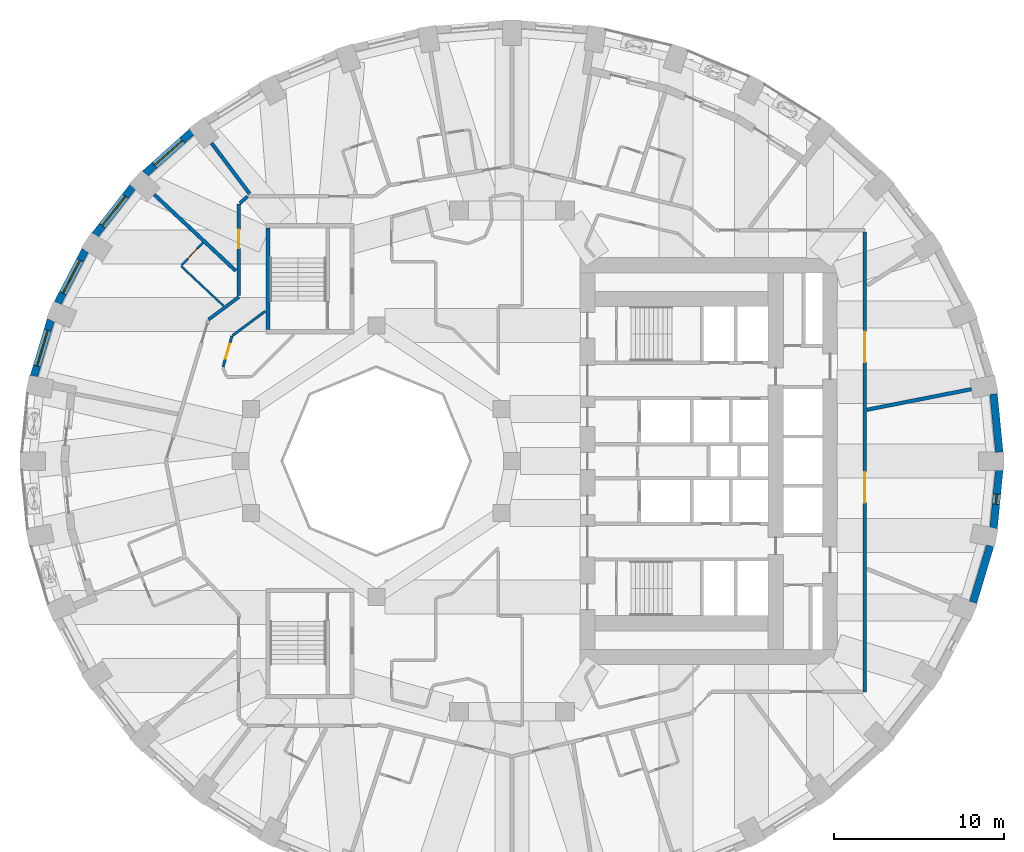
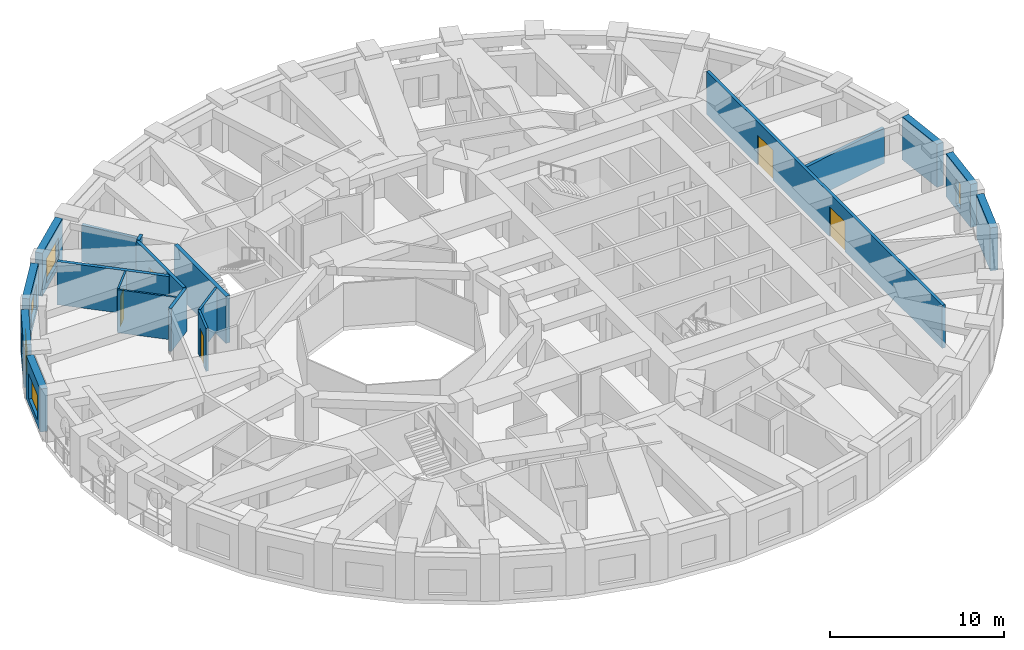
# One storey, part 7 of 14: 19 walls, 5 doors, 5 windows, 10 openings.
"""IFC4 building model written with IfcOpenShell, lengths in metres."""

from ifc_helpers import new_model, si_unit, direction, frame, frame_2d, origin, place, context, subcontext, project, spatial, rectangle, extrude, material, layer, layer_set, type_object, element, fill, save


model = new_model("IFC4")

# Units and contexts
model_context = context("Model", 3, precision=1e-05, world=origin(), true_north=direction((0.0, 1.0)))
body_context = subcontext(model_context, "Body", "Model", "MODEL_VIEW")
ifc_project = project(units=[si_unit("LENGTHUNIT", "METRE"), si_unit("AREAUNIT", "SQUARE_METRE"), si_unit("VOLUMEUNIT", "CUBIC_METRE"), si_unit("PLANEANGLEUNIT", "RADIAN"), si_unit("MASSUNIT", "GRAM", prefix="KILO")], contexts=[model_context])

# Site, building, storey
site_placement = place(None, origin())
site = spatial("IfcSite", under=ifc_project, at=site_placement, CompositionType="ELEMENT")
building_placement = place(site_placement, origin())
building = spatial("IfcBuilding", under=site, at=building_placement, Name="Taillehof Tower", CompositionType="ELEMENT")
storey_placement = place(building_placement, frame((0.0, 0.0, 21.699951171875)))
storey = spatial("IfcBuildingStorey", under=building, at=storey_placement, Name="L04", CompositionType="ELEMENT", Elevation=21.699951171875)

# Wall
ifc_material_1 = material(Name="Brick masonry", Category="masonry")
ifc_layer_1 = layer(ifc_material_1, 0.449951171875)
ifc_layer_set_1 = layer_set([ifc_layer_1], Name="Brick infill wall 450")
wall_type_1 = type_object("IfcWallType", Name="Brick infill wall 450", PredefinedType="SOLIDWALL", material=ifc_layer_set_1)
wall_1_placement = place(storey_placement, frame((28.721923828125, 0.530029296875, 0.0), z_axis=(0.0, 0.0, 1.0), x_axis=(-0.097389581596, 0.995246336038, 0.0)))
element("IfcWall", 1, at=wall_1_placement, inside=storey, type_object=wall_type_1, Name="Brick wall L04 bay 1", PredefinedType="SOLIDWALL", context=body_context, shape_type="SweptSolid", body=[
    extrude(rectangle(XDim=3.44189453125, YDim=0.449951171875, at=frame_2d((1.720947265625, 0.0))), origin(), (0.0, 0.0, 1.0), 3.02001953125),
])

# Wall, opening, window
wall_2_placement = place(storey_placement, frame((-18.87060546875, 19.406982421875, 0.0), z_axis=(0.0, 0.0, 1.0), x_axis=(-0.745526233716, -0.66647628228, 0.0)))
wall_2 = element("IfcWall", 2, at=wall_2_placement, inside=storey, type_object=wall_type_1, Name="Brick wall L04 bay 14", PredefinedType="SOLIDWALL", context=body_context, shape_type="SweptSolid", body=[
    extrude(rectangle(XDim=3.69677734375, YDim=0.449951171875, at=frame_2d((1.848388671875, 0.0))), origin(), (0.0, 0.0, 1.0), 3.02001953125),
])
opening_1_placement = place(wall_2_placement, frame((0.74853515625, 0.0, 0.39990234375)))
opening_1 = element("IfcOpeningElement", 3, at=opening_1_placement, cuts=wall_2, Name="Opening W1", PredefinedType="OPENING", context=body_context, shape_type="SweptSolid", body=[
    extrude(rectangle(XDim=2.199951171875, YDim=1.75, at=frame_2d((1.10009765625, 0.875))), frame((0.0, 0.23486328125, 0.0), z_axis=(0.0, -1.0, 0.0), x_axis=(1.0, 0.0, 0.0)), (0.0, 0.0, 1.0), 0.469970703125),
])
ifc_material_2 = material(Name="Aluminium window frame with clear double glazing", Category="aluminium")
window_type_1 = type_object("IfcWindowType", Name="Deep-set window 2200x1750", PartitioningType="SINGLE_PANEL", PredefinedType="WINDOW", material=ifc_material_2)
window_1_placement = place(opening_1_placement, origin())
window_1 = element("IfcWindow", 4, at=window_1_placement, inside=storey, type_object=window_type_1, Name="W1", OverallHeight=1.75, OverallWidth=2.199951171875, PartitioningType="SINGLE_PANEL", PredefinedType="WINDOW", context=body_context, shape_type="SweptSolid", body=[
    extrude(rectangle(XDim=2.199951171875, YDim=1.75, at=frame_2d((1.10009765625, 0.875))), frame((0.0, 0.034912109375, 0.0), z_axis=(0.0, -1.0, 0.0), x_axis=(1.0, 0.0, 0.0)), (0.0, 0.0, 1.0), 0.06005859375),
])
fill(opening_1, window_1)

wall_3_placement = place(storey_placement, frame((-22.3515625, 16.169677734375, 0.0), z_axis=(0.0, 0.0, 1.0), x_axis=(-0.616661975264, -0.787228053529, 0.0)))
wall_3 = element("IfcWall", 5, at=wall_3_placement, inside=storey, type_object=wall_type_1, Name="Brick wall L04 bay 15", PredefinedType="SOLIDWALL", context=body_context, shape_type="SweptSolid", body=[
    extrude(rectangle(XDim=3.60986328125, YDim=0.449951171875, at=frame_2d((1.804931640625, 0.0))), origin(), (0.0, 0.0, 1.0), 3.02001953125),
])
opening_2_placement = place(wall_3_placement, frame((0.704833984375, 0.0, 0.39990234375)))
opening_2 = element("IfcOpeningElement", 6, at=opening_2_placement, cuts=wall_3, Name="Opening W1", PredefinedType="OPENING", context=body_context, shape_type="SweptSolid", body=[
    extrude(rectangle(XDim=2.199951171875, YDim=1.75, at=frame_2d((1.10009765625, 0.875))), frame((0.0, 0.23486328125, 0.0), z_axis=(0.0, -1.0, 0.0), x_axis=(1.0, 0.0, 0.0)), (0.0, 0.0, 1.0), 0.469970703125),
])
window_2_placement = place(opening_2_placement, origin())
window_2 = element("IfcWindow", 7, at=window_2_placement, inside=storey, type_object=window_type_1, Name="W1", OverallHeight=1.75, OverallWidth=2.199951171875, PartitioningType="SINGLE_PANEL", PredefinedType="WINDOW", context=body_context, shape_type="SweptSolid", body=[
    extrude(rectangle(XDim=2.199951171875, YDim=1.75, at=frame_2d((1.10009765625, 0.875))), frame((0.0, 0.034912109375, 0.0), z_axis=(0.0, -1.0, 0.0), x_axis=(1.0, 0.0, 0.0)), (0.0, 0.0, 1.0), 0.06005859375),
])
fill(opening_2, window_2)

wall_4_placement = place(storey_placement, frame((-25.152099609375, 12.436767578125, 0.0), z_axis=(0.0, 0.0, 1.0), x_axis=(-0.462492775226, -0.886623050041, 0.0)))
wall_4 = element("IfcWall", 8, at=wall_4_placement, inside=storey, type_object=wall_type_1, Name="Brick wall L04 bay 16", PredefinedType="SOLIDWALL", context=body_context, shape_type="SweptSolid", body=[
    extrude(rectangle(XDim=3.531982421875, YDim=0.449951171875, at=frame_2d((1.76611328125, 0.0))), origin(), (0.0, 0.0, 1.0), 3.02001953125),
])
opening_3_placement = place(wall_4_placement, frame((0.666015625, 0.0, 0.39990234375)))
opening_3 = element("IfcOpeningElement", 9, at=opening_3_placement, cuts=wall_4, Name="Opening W1", PredefinedType="OPENING", context=body_context, shape_type="SweptSolid", body=[
    extrude(rectangle(XDim=2.199951171875, YDim=1.75, at=frame_2d((1.10009765625, 0.875))), frame((0.0, 0.23486328125, 0.0), z_axis=(0.0, -1.0, 0.0), x_axis=(1.0, 0.0, 0.0)), (0.0, 0.0, 1.0), 0.469970703125),
])
window_3_placement = place(opening_3_placement, origin())
window_3 = element("IfcWindow", 10, at=window_3_placement, inside=storey, type_object=window_type_1, Name="W1", OverallHeight=1.75, OverallWidth=2.199951171875, PartitioningType="SINGLE_PANEL", PredefinedType="WINDOW", context=body_context, shape_type="SweptSolid", body=[
    extrude(rectangle(XDim=2.199951171875, YDim=1.75, at=frame_2d((1.10009765625, 0.875))), frame((0.0, 0.034912109375, 0.0), z_axis=(0.0, -1.0, 0.0), x_axis=(1.0, 0.0, 0.0)), (0.0, 0.0, 1.0), 0.06005859375),
])
fill(opening_3, window_3)

wall_5_placement = place(storey_placement, frame((-27.184814453125, 8.322998046875, 0.0), z_axis=(0.0, 0.0, 1.0), x_axis=(-0.287064133733, -0.957911364963, 0.0)))
wall_5 = element("IfcWall", 11, at=wall_5_placement, inside=storey, type_object=wall_type_1, Name="Brick wall L04 bay 17", PredefinedType="SOLIDWALL", context=body_context, shape_type="SweptSolid", body=[
    extrude(rectangle(XDim=3.473388671875, YDim=0.449951171875, at=frame_2d((1.73681640625, 0.0))), origin(), (0.0, 0.0, 1.0), 3.02001953125),
])
opening_4_placement = place(wall_5_placement, frame((0.63671875, 0.0, 0.39990234375)))
opening_4 = element("IfcOpeningElement", 12, at=opening_4_placement, cuts=wall_5, Name="Opening W1", PredefinedType="OPENING", context=body_context, shape_type="SweptSolid", body=[
    extrude(rectangle(XDim=2.199951171875, YDim=1.75, at=frame_2d((1.10009765625, 0.875))), frame((0.0, 0.23486328125, 0.0), z_axis=(0.0, -1.0, 0.0), x_axis=(1.0, 0.0, 0.0)), (0.0, 0.0, 1.0), 0.469970703125),
])
window_4_placement = place(opening_4_placement, origin())
window_4 = element("IfcWindow", 13, at=window_4_placement, inside=storey, type_object=window_type_1, Name="W1", OverallHeight=1.75, OverallWidth=2.199951171875, PartitioningType="SINGLE_PANEL", PredefinedType="WINDOW", context=body_context, shape_type="SweptSolid", body=[
    extrude(rectangle(XDim=2.199951171875, YDim=1.75, at=frame_2d((1.10009765625, 0.875))), frame((0.0, 0.034912109375, 0.0), z_axis=(0.0, -1.0, 0.0), x_axis=(1.0, 0.0, 0.0)), (0.0, 0.0, 1.0), 0.06005859375),
])
fill(opening_4, window_4)

# Wall
wall_6_placement = place(storey_placement, frame((27.184814453125, -8.322998046875, 0.0), z_axis=(0.0, 0.0, 1.0), x_axis=(0.287064133733, 0.957911364963, 0.0)))
element("IfcWall", 14, at=wall_6_placement, inside=storey, type_object=wall_type_1, Name="Brick wall L04 bay 35", PredefinedType="SOLIDWALL", context=body_context, shape_type="SweptSolid", body=[
    extrude(rectangle(XDim=3.473388671875, YDim=0.449951171875, at=frame_2d((1.73681640625, 0.0))), origin(), (0.0, 0.0, 1.0), 3.02001953125),
])

# Wall, opening, window
wall_7_placement = place(storey_placement, frame((28.38671875, -3.95556640625, 0.0), z_axis=(0.0, 0.0, 1.0), x_axis=(0.097389581596, 0.995246336038, 0.0)))
wall_7 = element("IfcWall", 15, at=wall_7_placement, inside=storey, type_object=wall_type_1, Name="Brick wall L04 bay 36", PredefinedType="SOLIDWALL", context=body_context, shape_type="SweptSolid", body=[
    extrude(rectangle(XDim=3.44189453125, YDim=0.449951171875, at=frame_2d((1.720947265625, 0.0))), origin(), (0.0, 0.0, 1.0), 3.02001953125),
])
opening_5_placement = place(wall_7_placement, frame((1.4208984375, 0.0, 0.39990234375)))
opening_5 = element("IfcOpeningElement", 16, at=opening_5_placement, cuts=wall_7, Name="Opening W6", PredefinedType="OPENING", context=body_context, shape_type="SweptSolid", body=[
    extrude(rectangle(XDim=0.60009765625, YDim=1.75, at=frame_2d((0.300048828125, 0.875))), frame((0.0, 0.23486328125, 0.0), z_axis=(0.0, -1.0, 0.0), x_axis=(1.0, 0.0, 0.0)), (0.0, 0.0, 1.0), 0.469970703125),
])
ifc_material_3 = material(Name="Aluminium window frame with clear double glazing", Category="aluminium")
window_type_2 = type_object("IfcWindowType", Name="Slot window 600x1750", PartitioningType="SINGLE_PANEL", PredefinedType="WINDOW", material=ifc_material_3)
window_5_placement = place(opening_5_placement, origin())
window_5 = element("IfcWindow", 17, at=window_5_placement, inside=storey, type_object=window_type_2, Name="W6", OverallHeight=1.75, OverallWidth=0.60009765625, PartitioningType="SINGLE_PANEL", PredefinedType="WINDOW", context=body_context, shape_type="SweptSolid", body=[
    extrude(rectangle(XDim=0.60009765625, YDim=1.75, at=frame_2d((0.300048828125, 0.875))), frame((0.0, 0.034912109375, 0.0), z_axis=(0.0, -1.0, 0.0), x_axis=(1.0, 0.0, 0.0)), (0.0, 0.0, 1.0), 0.06005859375),
])
fill(opening_5, window_5)

# Wall
ifc_material_4 = material(Name="Gypsum board on steel studs, two layers each side", Category="steel")
ifc_layer_2 = layer(ifc_material_4, 0.199951171875)
ifc_layer_set_2 = layer_set([ifc_layer_2], Name="Compartment wall corridor 200")
wall_type_2 = type_object("IfcWallType", Name="Compartment wall corridor 200", PredefinedType="PARTITIONING", material=ifc_layer_set_2)
wall_8_placement = place(storey_placement, frame((-17.88427734375, 8.34375, 0.0), z_axis=(0.0, 0.0, 1.0), x_axis=(0.802260120548, 0.596974621721, 0.0)))
element("IfcWall", 18, at=wall_8_placement, inside=storey, type_object=wall_type_2, Name="Compartment wall", PredefinedType="PARTITIONING", context=body_context, shape_type="SweptSolid", body=[
    extrude(rectangle(XDim=2.223876953125, YDim=0.199951171875, at=frame_2d((1.11181640625, 0.0))), origin(), (0.0, 0.0, 1.0), 3.02001953125),
])

# Wall, opening, door
wall_9_placement = place(storey_placement, frame((-16.10009765625, 9.75146484375, 0.0), z_axis=(0.0, 0.0, 1.0), x_axis=(0.0, 1.0, 0.0)))
wall_9 = element("IfcWall", 19, at=wall_9_placement, inside=storey, type_object=wall_type_2, Name="Compartment wall", PredefinedType="PARTITIONING", context=body_context, shape_type="SweptSolid", body=[
    extrude(rectangle(XDim=5.392578125, YDim=0.199951171875, at=frame_2d((2.6962890625, 0.0))), origin(), (0.0, 0.0, 1.0), 3.02001953125),
])
opening_6_placement = place(wall_9_placement, frame((2.7861328125, 0.0, 0.0)))
opening_6 = element("IfcOpeningElement", 20, at=opening_6_placement, cuts=wall_9, Name="Opening D0451", PredefinedType="OPENING", context=body_context, shape_type="SweptSolid", body=[
    extrude(rectangle(XDim=1.10009765625, YDim=2.10009765625, at=frame_2d((0.550048828125, 1.050048828125))), frame((0.0, 0.10986328125, 0.0), z_axis=(0.0, -1.0, 0.0), x_axis=(1.0, 0.0, 0.0)), (0.0, 0.0, 1.0), 0.219970703125),
])
ifc_material_5 = material(Name="Timber door leaf in steel frame", Category="steel")
door_type_1 = type_object("IfcDoorType", Name="Suite entrance door EI 30 1100 x 2100", OperationType="SINGLE_SWING_LEFT", PredefinedType="DOOR", material=ifc_material_5)
door_1_placement = place(opening_6_placement, origin())
door_1 = element("IfcDoor", 21, at=door_1_placement, inside=storey, type_object=door_type_1, Name="D0451", OperationType="SINGLE_SWING_LEFT", OverallHeight=2.10009765625, OverallWidth=1.10009765625, PredefinedType="DOOR", context=body_context, shape_type="SweptSolid", body=[
    extrude(rectangle(XDim=1.10009765625, YDim=2.10009765625, at=frame_2d((0.550048828125, 1.050048828125))), frame((0.0, 0.02490234375, 0.0), z_axis=(0.0, -1.0, 0.0), x_axis=(1.0, 0.0, 0.0)), (0.0, 0.0, 1.0), 0.050048828125),
])
fill(opening_6, door_1)

# Wall
wall_10_placement = place(storey_placement, frame((-16.04052734375, 15.19775390625, 0.0), z_axis=(0.0, 0.0, 1.0), x_axis=(0.744722115519, 0.667374685359, 0.0)))
element("IfcWall", 22, at=wall_10_placement, inside=storey, type_object=wall_type_2, Name="Compartment wall", PredefinedType="PARTITIONING", context=body_context, shape_type="SweptSolid", body=[
    extrude(rectangle(XDim=0.602783203125, YDim=0.199951171875, at=frame_2d((0.30126953125, 0.0))), origin(), (0.0, 0.0, 1.0), 3.02001953125),
])

# Wall, openings, doors
wall_11_placement = place(storey_placement, frame((20.800048828125, 13.5, 0.0), z_axis=(0.0, 0.0, 1.0), x_axis=(0.0, -1.0, 0.0)))
wall_11 = element("IfcWall", 23, at=wall_11_placement, inside=storey, type_object=wall_type_2, Name="Compartment wall", PredefinedType="PARTITIONING", context=body_context, shape_type="SweptSolid", body=[
    extrude(rectangle(XDim=27.10009765625, YDim=0.199951171875, at=frame_2d((13.550048828125, 0.0))), origin(), (0.0, 0.0, 1.0), 3.02001953125),
])
opening_7_placement = place(wall_11_placement, frame((14.148681640625, 0.0, 0.0)))
opening_7 = element("IfcOpeningElement", 24, at=opening_7_placement, cuts=wall_11, Name="Opening D0470", PredefinedType="OPENING", context=body_context, shape_type="SweptSolid", body=[
    extrude(rectangle(XDim=1.800048828125, YDim=2.10009765625, at=frame_2d((0.89990234375, 1.050048828125))), frame((0.0, 0.10986328125, 0.0), z_axis=(0.0, -1.0, 0.0), x_axis=(1.0, 0.0, 0.0)), (0.0, 0.0, 1.0), 0.219970703125),
])
opening_8_placement = place(wall_11_placement, frame((5.864013671875, 0.0, 0.0)))
opening_8 = element("IfcOpeningElement", 25, at=opening_8_placement, cuts=wall_11, Name="Opening D0471", PredefinedType="OPENING", context=body_context, shape_type="SweptSolid", body=[
    extrude(rectangle(XDim=1.800048828125, YDim=2.10009765625, at=frame_2d((0.89990234375, 1.050048828125))), frame((0.0, 0.10986328125, 0.0), z_axis=(0.0, -1.0, 0.0), x_axis=(1.0, 0.0, 0.0)), (0.0, 0.0, 1.0), 0.219970703125),
])
ifc_material_6 = material(Name="Timber door leaf in steel frame", Category="steel")
door_type_2 = type_object("IfcDoorType", Name="Lounge and meeting room double door EI 30 1800 x 2100", OperationType="SINGLE_SWING_LEFT", PredefinedType="DOOR", material=ifc_material_6)
door_2_placement = place(opening_7_placement, origin())
door_2 = element("IfcDoor", 26, at=door_2_placement, inside=storey, type_object=door_type_2, Name="D0470", OperationType="DOUBLE_DOOR_SINGLE_SWING", OverallHeight=2.10009765625, OverallWidth=1.800048828125, PredefinedType="DOOR", context=body_context, shape_type="SweptSolid", body=[
    extrude(rectangle(XDim=1.800048828125, YDim=2.10009765625, at=frame_2d((0.89990234375, 1.050048828125))), frame((0.0, 0.02490234375, 0.0), z_axis=(0.0, -1.0, 0.0), x_axis=(1.0, 0.0, 0.0)), (0.0, 0.0, 1.0), 0.050048828125),
])
fill(opening_7, door_2)
door_3_placement = place(opening_8_placement, origin())
door_3 = element("IfcDoor", 27, at=door_3_placement, inside=storey, type_object=door_type_2, Name="D0471", OperationType="DOUBLE_DOOR_SINGLE_SWING", OverallHeight=2.10009765625, OverallWidth=1.800048828125, PredefinedType="DOOR", context=body_context, shape_type="SweptSolid", body=[
    extrude(rectangle(XDim=1.800048828125, YDim=2.10009765625, at=frame_2d((0.89990234375, 1.050048828125))), frame((0.0, 0.02490234375, 0.0), z_axis=(0.0, -1.0, 0.0), x_axis=(1.0, 0.0, 0.0)), (0.0, 0.0, 1.0), 0.050048828125),
])
fill(opening_8, door_3)

# Walls
ifc_material_7 = material(Name="Gypsum board on double steel studs with mineral wool", Category="steel")
ifc_layer_3 = layer(ifc_material_7, 0.219970703125)
ifc_layer_set_3 = layer_set([ifc_layer_3], Name="Compartment wall guest room 220")
wall_type_3 = type_object("IfcWallType", Name="Compartment wall guest room 220", PredefinedType="PARTITIONING", material=ifc_layer_set_3)
wall_12_placement = place(storey_placement, frame((27.0849609375, 4.239990234375, 0.0), z_axis=(0.0, 0.0, 1.0), x_axis=(-0.981207724218, -0.192954403772, 0.0)))
element("IfcWall", 28, at=wall_12_placement, inside=storey, type_object=wall_type_3, Name="Compartment wall", PredefinedType="PARTITIONING", context=body_context, shape_type="SweptSolid", body=[
    extrude(rectangle(XDim=6.283447265625, YDim=0.219970703125, at=frame_2d((3.1416015625, 0.0))), origin(), (0.0, 0.0, 1.0), 2.469970703125),
])
wall_13_placement = place(storey_placement, frame((-17.707763671875, 18.7431640625, 0.0), z_axis=(0.0, 0.0, 1.0), x_axis=(0.601172757903, -0.799119086967, 0.0)))
element("IfcWall", 29, at=wall_13_placement, inside=storey, type_object=wall_type_3, Name="Compartment wall", PredefinedType="PARTITIONING", context=body_context, shape_type="SweptSolid", body=[
    extrude(rectangle(XDim=3.728515625, YDim=0.219970703125, at=frame_2d((1.8642578125, 0.0))), origin(), (0.0, 0.0, 1.0), 2.570068359375),
])
wall_14_placement = place(storey_placement, frame((-21.09326171875, 15.7177734375, 0.0), z_axis=(0.0, 0.0, 1.0), x_axis=(0.73009284205, -0.683347965525, 0.0)))
element("IfcWall", 30, at=wall_14_placement, inside=storey, type_object=wall_type_3, Name="Compartment wall", PredefinedType="PARTITIONING", context=body_context, shape_type="SweptSolid", body=[
    extrude(rectangle(XDim=6.6015625, YDim=0.219970703125, at=frame_2d((3.30078125, 0.0))), origin(), (0.0, 0.0, 1.0), 3.02001953125),
])

# Wall, opening, door
ifc_material_8 = material(Name="Gypsum board on steel studs, two layers each side", Category="steel")
ifc_layer_4 = layer(ifc_material_8, 0.14990234375)
ifc_layer_set_4 = layer_set([ifc_layer_4], Name="Compartment wall service room 150")
wall_type_4 = type_object("IfcWallType", Name="Compartment wall service room 150", PredefinedType="PARTITIONING", material=ifc_layer_set_4)
wall_15_placement = place(storey_placement, frame((-17.031982421875, 5.552001953125, 0.0), z_axis=(0.0, 0.0, 1.0), x_axis=(0.277658349549, 0.96067988473, 0.0)))
wall_15 = element("IfcWall", 31, at=wall_15_placement, inside=storey, type_object=wall_type_4, Name="Compartment wall", PredefinedType="PARTITIONING", context=body_context, shape_type="SweptSolid", body=[
    extrude(rectangle(XDim=1.8984375, YDim=0.14990234375, at=frame_2d((0.94921875, 0.0))), origin(), (0.0, 0.0, 1.0), 3.02001953125),
])
opening_9_placement = place(wall_15_placement, frame((0.499267578125, 0.0, 0.0)))
opening_9 = element("IfcOpeningElement", 32, at=opening_9_placement, cuts=wall_15, Name="Opening D0475", PredefinedType="OPENING", context=body_context, shape_type="SweptSolid", body=[
    extrude(rectangle(XDim=0.89990234375, YDim=2.10009765625, at=frame_2d((0.449951171875, 1.050048828125))), frame((0.0, 0.0849609375, 0.0), z_axis=(0.0, -1.0, 0.0), x_axis=(1.0, 0.0, 0.0)), (0.0, 0.0, 1.0), 0.169921875),
])
ifc_material_9 = material(Name="Timber door leaf in steel frame", Category="steel")
door_type_3 = type_object("IfcDoorType", Name="Service room door EI 30 900 x 2100", OperationType="SINGLE_SWING_LEFT", PredefinedType="DOOR", material=ifc_material_9)
door_4_placement = place(opening_9_placement, origin())
door_4 = element("IfcDoor", 33, at=door_4_placement, inside=storey, type_object=door_type_3, Name="D0475", OperationType="SINGLE_SWING_LEFT", OverallHeight=2.10009765625, OverallWidth=0.89990234375, PredefinedType="DOOR", context=body_context, shape_type="SweptSolid", body=[
    extrude(rectangle(XDim=0.89990234375, YDim=2.10009765625, at=frame_2d((0.449951171875, 1.050048828125))), frame((0.0, 0.02490234375, 0.0), z_axis=(0.0, -1.0, 0.0), x_axis=(1.0, 0.0, 0.0)), (0.0, 0.0, 1.0), 0.050048828125),
])
fill(opening_9, door_4)

# Walls
wall_16_placement = place(storey_placement, frame((-16.47265625, 7.399658203125, 0.0), z_axis=(0.0, 0.0, 1.0), x_axis=(0.802267063429, 0.596965291233, 0.0)))
element("IfcWall", 34, at=wall_16_placement, inside=storey, type_object=wall_type_4, Name="Compartment wall", PredefinedType="PARTITIONING", context=body_context, shape_type="SweptSolid", body=[
    extrude(rectangle(XDim=2.410400390625, YDim=0.14990234375, at=frame_2d((1.205078125, 0.0))), origin(), (0.0, 0.0, 1.0), 3.02001953125),
])
ifc_material_10 = material(Name="Gypsum board on steel studs, moisture resistant", Category="steel")
ifc_layer_5 = layer(ifc_material_10, 0.1201171875)
ifc_layer_set_5 = layer_set([ifc_layer_5], Name="En-suite wall 120")
wall_type_5 = type_object("IfcWallType", Name="En-suite wall 120", PredefinedType="PARTITIONING", material=ifc_layer_set_5)
wall_17_placement = place(storey_placement, frame((-17.001953125, 9.1494140625, 0.0), z_axis=(0.0, 0.0, 1.0), x_axis=(-0.730093035944, 0.683347758368, 0.0)))
element("IfcWall", 35, at=wall_17_placement, inside=storey, type_object=wall_type_5, Name="En-suite wall", PredefinedType="PARTITIONING", context=body_context, shape_type="SweptSolid", body=[
    extrude(rectangle(XDim=3.4365234375, YDim=0.1201171875, at=frame_2d((1.71826171875, 0.0))), origin(), (0.0, 0.0, 1.0), 3.02001953125),
])

# Wall, opening, door
wall_18_placement = place(storey_placement, frame((-19.469970703125, 11.54150390625, 0.0), z_axis=(0.0, 0.0, 1.0), x_axis=(0.683306289544, 0.730131847456, 0.0)))
wall_18 = element("IfcWall", 36, at=wall_18_placement, inside=storey, type_object=wall_type_5, Name="En-suite wall", PredefinedType="PARTITIONING", context=body_context, shape_type="SweptSolid", body=[
    extrude(rectangle(XDim=1.830078125, YDim=0.1201171875, at=frame_2d((0.9150390625, 0.0))), origin(), (0.0, 0.0, 1.0), 3.02001953125),
])
opening_10_placement = place(wall_18_placement, frame((0.5400390625, 0.0, 0.0)))
opening_10 = element("IfcOpeningElement", 37, at=opening_10_placement, cuts=wall_18, Name="Opening D0453", PredefinedType="OPENING", context=body_context, shape_type="SweptSolid", body=[
    extrude(rectangle(XDim=0.800048828125, YDim=2.10009765625, at=frame_2d((0.39990234375, 1.050048828125))), frame((0.0, 0.070068359375, 0.0), z_axis=(0.0, -1.0, 0.0), x_axis=(1.0, 0.0, 0.0)), (0.0, 0.0, 1.0), 0.14013671875),
])
ifc_material_11 = material(Name="Timber door leaf in steel frame", Category="steel")
door_type_4 = type_object("IfcDoorType", Name="En-suite door 800 x 2100", OperationType="SINGLE_SWING_LEFT", PredefinedType="DOOR", material=ifc_material_11)
door_5_placement = place(opening_10_placement, origin())
door_5 = element("IfcDoor", 38, at=door_5_placement, inside=storey, type_object=door_type_4, Name="D0453", OperationType="SINGLE_SWING_RIGHT", OverallHeight=2.10009765625, OverallWidth=0.800048828125, PredefinedType="DOOR", context=body_context, shape_type="SweptSolid", body=[
    extrude(rectangle(XDim=0.800048828125, YDim=2.10009765625, at=frame_2d((0.39990234375, 1.050048828125))), frame((0.0, 0.02490234375, 0.0), z_axis=(0.0, -1.0, 0.0), x_axis=(1.0, 0.0, 0.0)), (0.0, 0.0, 1.0), 0.050048828125),
])
fill(opening_10, door_5)

# Wall
ifc_material_12 = material(Name="Concrete C50/60", Category="concrete")
ifc_layer_6 = layer(ifc_material_12, 0.25)
ifc_layer_set_6 = layer_set([ifc_layer_6], Name="Stair wall C50/60 250")
wall_type_6 = type_object("IfcWallType", Name="Stair wall C50/60 250", PredefinedType="SHEAR", material=ifc_layer_set_6)
wall_19_placement = place(storey_placement, frame((-14.375, 7.75, -0.280029296875), z_axis=(0.0, 0.0, 1.0), x_axis=(0.0, 1.0, 0.0)))
element("IfcWall", 39, at=wall_19_placement, inside=storey, type_object=wall_type_6, Name="Stair wall SC", PredefinedType="SHEAR", context=body_context, shape_type="SweptSolid", body=[
    extrude(rectangle(XDim=6.0, YDim=0.25, at=frame_2d((3.0, 0.0))), origin(), (0.0, 0.0, 1.0), 3.300048828125),
])

save(model, "model.ifc")
